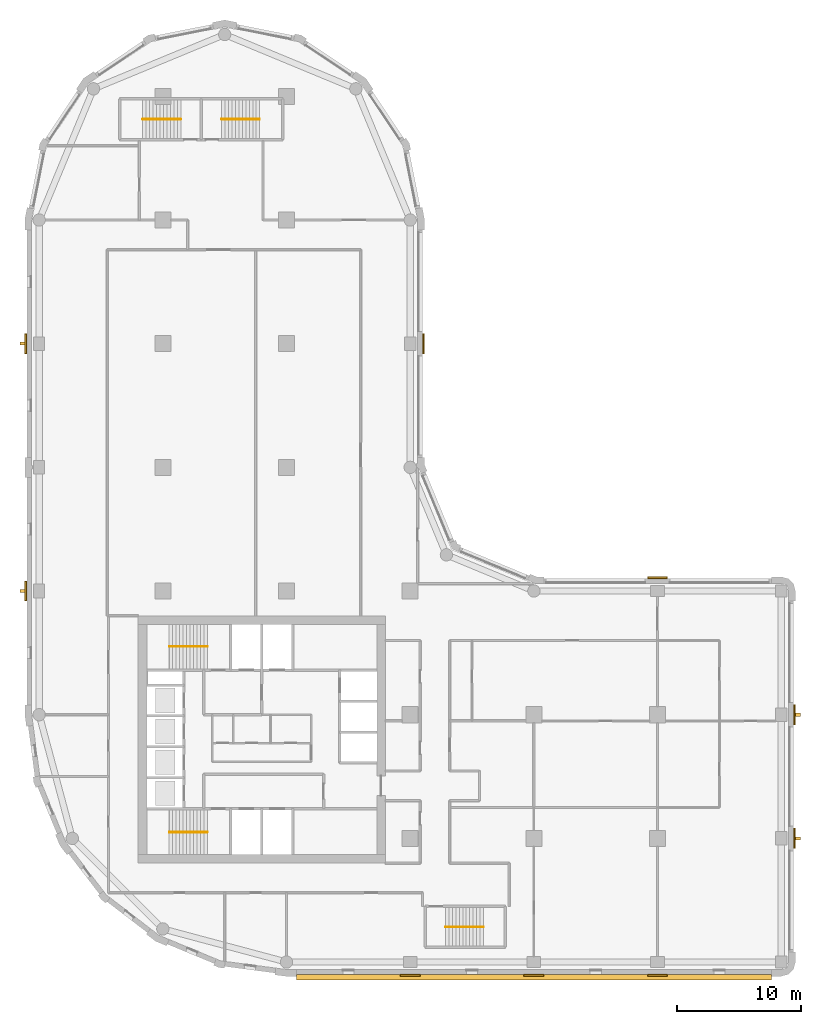
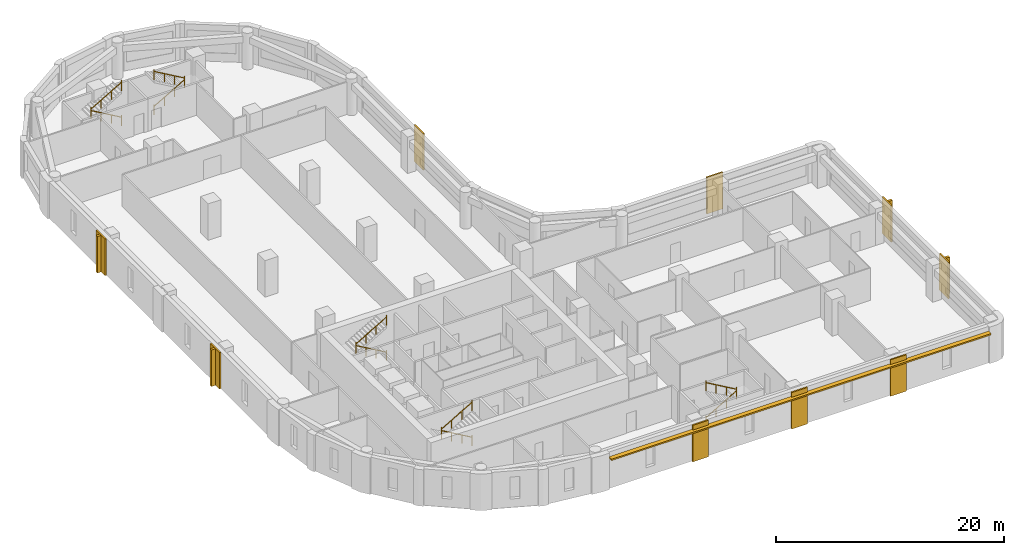
# One storey, part 8 of 9: 10 railings, 9 coverings, 5 shading devices.
"""IFC4 building model written with IfcOpenShell, lengths in metres."""

from ifc_helpers import new_model, si_unit, direction, frame, origin, origin_2d, place, context, subcontext, project, spatial, polyline, rectangle, circle, outline, extrude, material, layer, layer_set, type_object, element, save


model = new_model("IFC4")

# Units and contexts
model_context = context("Model", 3, precision=1e-05, world=origin(), true_north=direction((0.0, 1.0)))
body_context = subcontext(model_context, "Body", "Model", "MODEL_VIEW")
ifc_project = project(units=[si_unit("LENGTHUNIT", "METRE"), si_unit("AREAUNIT", "SQUARE_METRE"), si_unit("VOLUMEUNIT", "CUBIC_METRE"), si_unit("PLANEANGLEUNIT", "RADIAN"), si_unit("MASSUNIT", "GRAM", prefix="KILO")], contexts=[model_context])

# Site, building, storey
site_placement = place(None, origin())
site = spatial("IfcSite", under=ifc_project, at=site_placement, CompositionType="ELEMENT")
building_placement = place(site_placement, origin())
building = spatial("IfcBuilding", under=site, at=building_placement, Name="Qaws Garden Tower", CompositionType="ELEMENT")
storey_placement = place(building_placement, frame((0.0, 0.0, 233.10009765625)))
storey = spatial("IfcBuildingStorey", under=building, at=storey_placement, Name="L57", CompositionType="ELEMENT", Elevation=233.10009765625)

# Shading devices
ifc_material_1 = material(Name="Clay facing brick masonry", Category="masonry")
ifc_layer_1 = layer(ifc_material_1, 0.14990234375)
ifc_layer_set_1 = layer_set([ifc_layer_1], Name="Clay facing brick masonry")
shading_device_type_1 = type_object("IfcShadingDeviceType", Name="Brick sunshade band 450 x 150", PredefinedType="JALOUSIE", material=ifc_layer_set_1)
shading_device_placement = place(storey_placement, frame((0.0, 0.0, 3.25)))
element("IfcShadingDevice", 1, at=shading_device_placement, inside=storey, type_object=shading_device_type_1, Name="SUNSHADE 00", PredefinedType="JALOUSIE", context=body_context, shape_type="SweptSolid", body=[
    extrude(outline(polyline([(20.800048828125, -1.0), (20.800048828125, -1.449951171875), (59.199951171875, -1.449951171875), (59.199951171875, -1.0), (50.800048828125, -1.0), (50.800048828125, -1.14990234375), (49.199951171875, -1.14990234375), (49.199951171875, -1.0), (40.800048828125, -1.0), (40.800048828125, -1.14990234375), (39.199951171875, -1.14990234375), (39.199951171875, -1.0), (30.800048828125, -1.0), (30.800048828125, -1.14990234375), (29.199951171875, -1.14990234375), (29.199951171875, -1.0), (20.800048828125, -1.0)])), origin(), (0.0, 0.0, 1.0), 0.14990234375),
])
ifc_material_2 = material(Name="Clay facing brick masonry", Category="masonry")
ifc_layer_2 = layer(ifc_material_2, 0.25)
ifc_layer_set_2 = layer_set([ifc_layer_2], Name="Clay facing brick masonry")
shading_device_type_2 = type_object("IfcShadingDeviceType", Name="Brick-faced fin 250 x 400", PredefinedType="USERDEFINED", material=ifc_layer_set_2)
for number, where, z_axis, x_axis, name in (
    (2, (61.35009765625, 10.0, 0.0), (0.0, 0.0, 1.0), (0.0, 1.0, 0.0), "FIN 05"),
    (3, (61.35009765625, 20.0, 0.0), (0.0, 0.0, 1.0), (0.0, 1.0, 0.0), "FIN 06"),
    (4, (-1.35009765625, 50.0, 0.0), (0.0, 0.0, 1.0), (0.0, -1.0, 0.0), "FIN 22"),
    (5, (-1.35009765625, 30.0, 0.0), (0.0, 0.0, 1.0), (0.0, -1.0, 0.0), "FIN 24"),
):
    element("IfcShadingDevice", number, at=place(storey_placement, frame(where, z_axis=z_axis, x_axis=x_axis)), inside=storey, type_object=shading_device_type_2, Name=name, ObjectType="FIN", PredefinedType="USERDEFINED", context=body_context, shape_type="SweptSolid", body=[
        extrude(rectangle(XDim=0.25, YDim=0.39990234375, at=origin_2d()), origin(), (0.0, 0.0, 1.0), 3.89990234375),
    ])

# Coverings
ifc_material_3 = material(Name="Buff clay facing brick masonry", Category="masonry")
ifc_layer_3 = layer(ifc_material_3, 0.14990234375)
ifc_layer_set_3 = layer_set([ifc_layer_3], Name="Buff clay facing brick masonry")
covering_type = type_object("IfcCoveringType", Name="Buff brick pilaster facing 150 x 1600", PredefinedType="CLADDING", material=ifc_layer_set_3)
placement = place(storey_placement, origin())
element("IfcCovering", 6, at=placement, inside=storey, type_object=covering_type, Name="E-L57-pier-01", PredefinedType="CLADDING", context=body_context, shape_type="SweptSolid", body=[
    extrude(outline(polyline([(29.199951171875, -1.0), (30.800048828125, -1.0), (30.800048828125, -1.14990234375), (29.199951171875, -1.14990234375), (29.199951171875, -1.0)])), origin(), (0.0, 0.0, 1.0), 3.89990234375),
])
element("IfcCovering", 7, at=placement, inside=storey, type_object=covering_type, Name="E-L57-pier-02", PredefinedType="CLADDING", context=body_context, shape_type="SweptSolid", body=[
    extrude(outline(polyline([(39.199951171875, -1.0), (40.800048828125, -1.0), (40.800048828125, -1.14990234375), (39.199951171875, -1.14990234375), (39.199951171875, -1.0)])), origin(), (0.0, 0.0, 1.0), 3.89990234375),
])
element("IfcCovering", 8, at=placement, inside=storey, type_object=covering_type, Name="E-L57-pier-03", PredefinedType="CLADDING", context=body_context, shape_type="SweptSolid", body=[
    extrude(outline(polyline([(49.199951171875, -1.0), (50.800048828125, -1.0), (50.800048828125, -1.14990234375), (49.199951171875, -1.14990234375), (49.199951171875, -1.0)])), origin(), (0.0, 0.0, 1.0), 3.89990234375),
])
element("IfcCovering", 9, at=placement, inside=storey, type_object=covering_type, Name="E-L57-pier-05", PredefinedType="CLADDING", context=body_context, shape_type="SweptSolid", body=[
    extrude(outline(polyline([(61.0, 9.199951171875), (61.0, 10.800048828125), (61.14990234375, 10.800048828125), (61.14990234375, 9.199951171875), (61.0, 9.199951171875)])), origin(), (0.0, 0.0, 1.0), 3.89990234375),
])
element("IfcCovering", 10, at=placement, inside=storey, type_object=covering_type, Name="E-L57-pier-06", PredefinedType="CLADDING", context=body_context, shape_type="SweptSolid", body=[
    extrude(outline(polyline([(61.0, 19.199951171875), (61.0, 20.800048828125), (61.14990234375, 20.800048828125), (61.14990234375, 19.199951171875), (61.0, 19.199951171875)])), origin(), (0.0, 0.0, 1.0), 3.89990234375),
])
element("IfcCovering", 11, at=placement, inside=storey, type_object=covering_type, Name="E-L57-pier-08", PredefinedType="CLADDING", context=body_context, shape_type="SweptSolid", body=[
    extrude(outline(polyline([(50.800048828125, 31.0), (49.199951171875, 31.0), (49.199951171875, 31.14990234375), (50.800048828125, 31.14990234375), (50.800048828125, 31.0)])), origin(), (0.0, 0.0, 1.0), 3.89990234375),
])
element("IfcCovering", 12, at=placement, inside=storey, type_object=covering_type, Name="E-L57-pier-12", PredefinedType="CLADDING", context=body_context, shape_type="SweptSolid", body=[
    extrude(outline(polyline([(31.0, 49.199951171875), (31.0, 50.800048828125), (31.14990234375, 50.800048828125), (31.14990234375, 49.199951171875), (31.0, 49.199951171875)])), origin(), (0.0, 0.0, 1.0), 3.89990234375),
])
element("IfcCovering", 13, at=placement, inside=storey, type_object=covering_type, Name="E-L57-pier-22", PredefinedType="CLADDING", context=body_context, shape_type="SweptSolid", body=[
    extrude(outline(polyline([(-1.0, 50.800048828125), (-1.0, 49.199951171875), (-1.14990234375, 49.199951171875), (-1.14990234375, 50.800048828125), (-1.0, 50.800048828125)])), origin(), (0.0, 0.0, 1.0), 3.89990234375),
])
element("IfcCovering", 14, at=placement, inside=storey, type_object=covering_type, Name="E-L57-pier-24", PredefinedType="CLADDING", context=body_context, shape_type="SweptSolid", body=[
    extrude(outline(polyline([(-1.0, 30.800048828125), (-1.0, 29.199951171875), (-1.14990234375, 29.199951171875), (-1.14990234375, 30.800048828125), (-1.0, 30.800048828125)])), origin(), (0.0, 0.0, 1.0), 3.89990234375),
])

# Railings
ifc_material_4 = material(Name="Steel S355", Category="steel")
railing_type = type_object("IfcRailingType", Name="Stair handrail 900", PredefinedType="HANDRAIL", material=ifc_material_4)
railing_1_placement = place(storey_placement, frame((13.60009765625, 10.5, 0.162353515625)))
element("IfcRailing", 15, at=railing_1_placement, inside=storey, type_object=railing_type, Name="Stair 1 handrail", PredefinedType="HANDRAIL", context=body_context, shape_type="SweptSolid", body=[
    extrude(circle(Radius=0.02392578125, at=origin_2d()), frame((0.0, 0.0, 0.8759765625), z_axis=(-0.864890721111, 0.0, 0.501960198159), x_axis=(0.0, -1.0, 0.0)), (0.0, 0.0, 1.0), 3.561279296875),
    extrude(circle(Radius=0.02099609375, at=origin_2d()), origin(), (0.0, 0.0, 1.0), 1.06201171875),
    extrude(circle(Radius=0.02099609375, at=origin_2d()), frame((-1.026611328125, 0.0, 0.595947265625)), (0.0, 0.0, 1.0), 0.851806640625),
    extrude(circle(Radius=0.02099609375, at=origin_2d()), frame((-2.053466796875, 0.0, 1.191650390625)), (0.0, 0.0, 1.0), 0.851806640625),
    extrude(circle(Radius=0.02099609375, at=origin_2d()), frame((-3.080078125, 0.0, 1.78759765625)), (0.0, 0.0, 1.0), 1.06201171875),
])
railing_2_placement = place(storey_placement, frame((10.52001953125, 10.5, 2.1123046875)))
element("IfcRailing", 16, at=railing_2_placement, inside=storey, type_object=railing_type, Name="Stair 1 handrail", PredefinedType="HANDRAIL", context=body_context, shape_type="SweptSolid", body=[
    extrude(circle(Radius=0.02392578125, at=origin_2d()), frame((0.0, 0.0, 0.8759765625), z_axis=(0.864890721111, 0.0, 0.501960198159), x_axis=(0.0, 1.0, 0.0)), (0.0, 0.0, 1.0), 3.561279296875),
    extrude(circle(Radius=0.02099609375, at=origin_2d()), origin(), (0.0, 0.0, 1.0), 1.06201171875),
    extrude(circle(Radius=0.02099609375, at=origin_2d()), frame((1.026611328125, 0.0, 0.595947265625)), (0.0, 0.0, 1.0), 0.851806640625),
    extrude(circle(Radius=0.02099609375, at=origin_2d()), frame((2.053466796875, 0.0, 1.191650390625)), (0.0, 0.0, 1.0), 0.851806640625),
    extrude(circle(Radius=0.02099609375, at=origin_2d()), frame((3.080078125, 0.0, 1.78759765625)), (0.0, 0.0, 1.0), 1.06201171875),
])
railing_3_placement = place(storey_placement, frame((13.60009765625, 25.5, 0.162353515625)))
element("IfcRailing", 17, at=railing_3_placement, inside=storey, type_object=railing_type, Name="Stair 4 handrail", PredefinedType="HANDRAIL", context=body_context, shape_type="SweptSolid", body=[
    extrude(circle(Radius=0.02392578125, at=origin_2d()), frame((0.0, 0.0, 0.8759765625), z_axis=(-0.864890721111, 0.0, 0.501960198159), x_axis=(0.0, -1.0, 0.0)), (0.0, 0.0, 1.0), 3.561279296875),
    extrude(circle(Radius=0.02099609375, at=origin_2d()), origin(), (0.0, 0.0, 1.0), 1.06201171875),
    extrude(circle(Radius=0.02099609375, at=origin_2d()), frame((-1.026611328125, 0.0, 0.595947265625)), (0.0, 0.0, 1.0), 0.851806640625),
    extrude(circle(Radius=0.02099609375, at=origin_2d()), frame((-2.053466796875, 0.0, 1.191650390625)), (0.0, 0.0, 1.0), 0.851806640625),
    extrude(circle(Radius=0.02099609375, at=origin_2d()), frame((-3.080078125, 0.0, 1.78759765625)), (0.0, 0.0, 1.0), 1.06201171875),
])
railing_4_placement = place(storey_placement, frame((10.52001953125, 25.5, 2.1123046875)))
element("IfcRailing", 18, at=railing_4_placement, inside=storey, type_object=railing_type, Name="Stair 4 handrail", PredefinedType="HANDRAIL", context=body_context, shape_type="SweptSolid", body=[
    extrude(circle(Radius=0.02392578125, at=origin_2d()), frame((0.0, 0.0, 0.8759765625), z_axis=(0.864890721111, 0.0, 0.501960198159), x_axis=(0.0, 1.0, 0.0)), (0.0, 0.0, 1.0), 3.561279296875),
    extrude(circle(Radius=0.02099609375, at=origin_2d()), origin(), (0.0, 0.0, 1.0), 1.06201171875),
    extrude(circle(Radius=0.02099609375, at=origin_2d()), frame((1.026611328125, 0.0, 0.595947265625)), (0.0, 0.0, 1.0), 0.851806640625),
    extrude(circle(Radius=0.02099609375, at=origin_2d()), frame((2.053466796875, 0.0, 1.191650390625)), (0.0, 0.0, 1.0), 0.851806640625),
    extrude(circle(Radius=0.02099609375, at=origin_2d()), frame((3.080078125, 0.0, 1.78759765625)), (0.0, 0.0, 1.0), 1.06201171875),
])
railing_5_placement = place(storey_placement, frame((32.85009765625, 2.85009765625, 0.162353515625)))
element("IfcRailing", 19, at=railing_5_placement, inside=storey, type_object=railing_type, Name="Stair 5 handrail", PredefinedType="HANDRAIL", context=body_context, shape_type="SweptSolid", body=[
    extrude(circle(Radius=0.02392578125, at=origin_2d()), frame((0.0, 0.0, 0.8759765625), z_axis=(0.864873446163, 0.0, 0.501989962173), x_axis=(0.0, 1.0, 0.0)), (0.0, 0.0, 1.0), 3.56103515625),
    extrude(circle(Radius=0.02099609375, at=origin_2d()), origin(), (0.0, 0.0, 1.0), 1.06201171875),
    extrude(circle(Radius=0.02099609375, at=origin_2d()), frame((1.026611328125, 0.0, 0.595947265625)), (0.0, 0.0, 1.0), 0.851806640625),
    extrude(circle(Radius=0.02099609375, at=origin_2d()), frame((2.05322265625, 0.0, 1.191650390625)), (0.0, 0.0, 1.0), 0.851806640625),
    extrude(circle(Radius=0.02099609375, at=origin_2d()), frame((3.079833984375, 0.0, 1.78759765625)), (0.0, 0.0, 1.0), 1.06201171875),
])
for number, where, name in (
    (20, (35.929931640625, 2.85009765625, 2.1123046875), "Stair 5 handrail"),
    (21, (11.449951171875, 68.14990234375, 0.162353515625), "Stair 6 handrail"),
):
    element("IfcRailing", number, at=place(storey_placement, frame(where)), inside=storey, type_object=railing_type, Name=name, PredefinedType="HANDRAIL", context=body_context, shape_type="SweptSolid", body=[
        extrude(circle(Radius=0.02392578125, at=origin_2d()), frame((0.0, 0.0, 0.8759765625), z_axis=(-0.864873446163, 0.0, 0.501989962173), x_axis=(0.0, -1.0, 0.0)), (0.0, 0.0, 1.0), 3.56103515625),
        extrude(circle(Radius=0.02099609375, at=origin_2d()), origin(), (0.0, 0.0, 1.0), 1.06201171875),
        extrude(circle(Radius=0.02099609375, at=origin_2d()), frame((-1.026611328125, 0.0, 0.595947265625)), (0.0, 0.0, 1.0), 0.851806640625),
        extrude(circle(Radius=0.02099609375, at=origin_2d()), frame((-2.05322265625, 0.0, 1.191650390625)), (0.0, 0.0, 1.0), 0.851806640625),
        extrude(circle(Radius=0.02099609375, at=origin_2d()), frame((-3.079833984375, 0.0, 1.78759765625)), (0.0, 0.0, 1.0), 1.06201171875),
    ])
railing_6_placement = place(storey_placement, frame((8.3701171875, 68.14990234375, 2.1123046875)))
element("IfcRailing", 22, at=railing_6_placement, inside=storey, type_object=railing_type, Name="Stair 6 handrail", PredefinedType="HANDRAIL", context=body_context, shape_type="SweptSolid", body=[
    extrude(circle(Radius=0.02392578125, at=origin_2d()), frame((0.0, 0.0, 0.8759765625), z_axis=(0.864873446163, 0.0, 0.501989962173), x_axis=(0.0, 1.0, 0.0)), (0.0, 0.0, 1.0), 3.56103515625),
    extrude(circle(Radius=0.02099609375, at=origin_2d()), origin(), (0.0, 0.0, 1.0), 1.06201171875),
    extrude(circle(Radius=0.02099609375, at=origin_2d()), frame((1.026611328125, 0.0, 0.595947265625)), (0.0, 0.0, 1.0), 0.851806640625),
    extrude(circle(Radius=0.02099609375, at=origin_2d()), frame((2.05322265625, 0.0, 1.191650390625)), (0.0, 0.0, 1.0), 0.851806640625),
    extrude(circle(Radius=0.02099609375, at=origin_2d()), frame((3.079833984375, 0.0, 1.78759765625)), (0.0, 0.0, 1.0), 1.06201171875),
])
railing_7_placement = place(storey_placement, frame((14.75, 68.14990234375, 0.162353515625)))
element("IfcRailing", 23, at=railing_7_placement, inside=storey, type_object=railing_type, Name="Stair 7 handrail", PredefinedType="HANDRAIL", context=body_context, shape_type="SweptSolid", body=[
    extrude(circle(Radius=0.02392578125, at=origin_2d()), frame((0.0, 0.0, 0.8759765625), z_axis=(0.864890721111, 0.0, 0.501960198159), x_axis=(0.0, 1.0, 0.0)), (0.0, 0.0, 1.0), 3.561279296875),
    extrude(circle(Radius=0.02099609375, at=origin_2d()), origin(), (0.0, 0.0, 1.0), 1.06201171875),
    extrude(circle(Radius=0.02099609375, at=origin_2d()), frame((1.026611328125, 0.0, 0.595947265625)), (0.0, 0.0, 1.0), 0.851806640625),
    extrude(circle(Radius=0.02099609375, at=origin_2d()), frame((2.053466796875, 0.0, 1.191650390625)), (0.0, 0.0, 1.0), 0.851806640625),
    extrude(circle(Radius=0.02099609375, at=origin_2d()), frame((3.080078125, 0.0, 1.78759765625)), (0.0, 0.0, 1.0), 1.06201171875),
])
railing_8_placement = place(storey_placement, frame((17.830078125, 68.14990234375, 2.1123046875)))
element("IfcRailing", 24, at=railing_8_placement, inside=storey, type_object=railing_type, Name="Stair 7 handrail", PredefinedType="HANDRAIL", context=body_context, shape_type="SweptSolid", body=[
    extrude(circle(Radius=0.02392578125, at=origin_2d()), frame((0.0, 0.0, 0.8759765625), z_axis=(-0.864890721111, 0.0, 0.501960198159), x_axis=(0.0, -1.0, 0.0)), (0.0, 0.0, 1.0), 3.561279296875),
    extrude(circle(Radius=0.02099609375, at=origin_2d()), origin(), (0.0, 0.0, 1.0), 1.06201171875),
    extrude(circle(Radius=0.02099609375, at=origin_2d()), frame((-1.026611328125, 0.0, 0.595947265625)), (0.0, 0.0, 1.0), 0.851806640625),
    extrude(circle(Radius=0.02099609375, at=origin_2d()), frame((-2.053466796875, 0.0, 1.191650390625)), (0.0, 0.0, 1.0), 0.851806640625),
    extrude(circle(Radius=0.02099609375, at=origin_2d()), frame((-3.080078125, 0.0, 1.78759765625)), (0.0, 0.0, 1.0), 1.06201171875),
])

save(model, "model.ifc")
